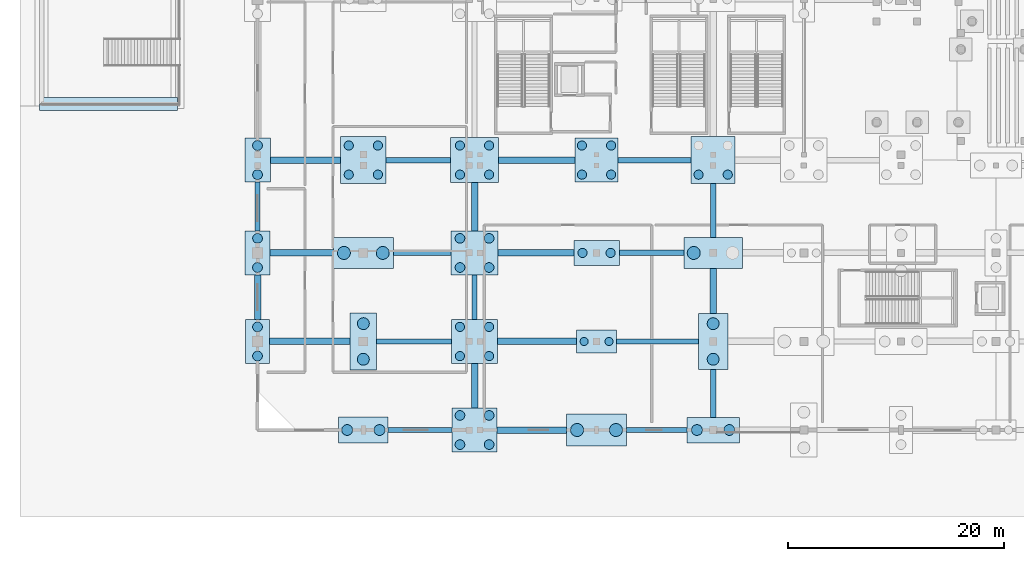
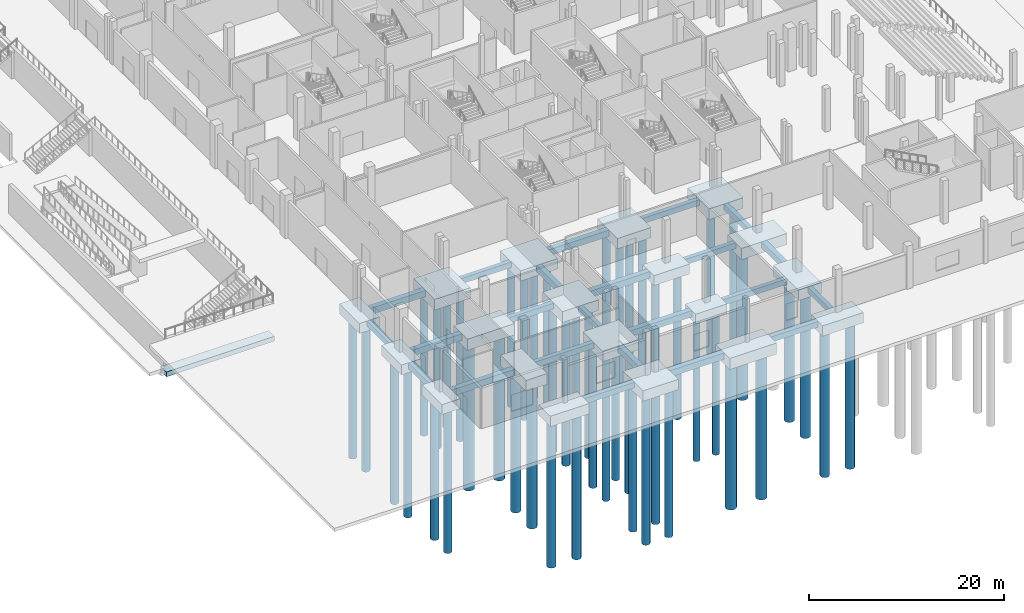
# One storey, part 1 of 89: 49 piles, 43 footings.
"""IFC4 building model written with IfcOpenShell, lengths in metres."""

from ifc_helpers import new_model, si_unit, direction, frame, origin, origin_2d, place, context, subcontext, project, spatial, rectangle, circle, extrude, material, material_profile, profile_set, type_object, element, save


model = new_model("IFC4")

# Units and contexts
model_context = context("Model", 3, precision=1e-05, world=origin(), true_north=direction((0.0, 1.0)))
body_context = subcontext(model_context, "Body", "Model", "MODEL_VIEW")
ifc_project = project(units=[si_unit("LENGTHUNIT", "METRE"), si_unit("AREAUNIT", "SQUARE_METRE"), si_unit("VOLUMEUNIT", "CUBIC_METRE"), si_unit("PLANEANGLEUNIT", "RADIAN"), si_unit("MASSUNIT", "GRAM", prefix="KILO")], contexts=[model_context])

# Site, building, storey
site_placement = place(None, origin())
site = spatial("IfcSite", under=ifc_project, at=site_placement, CompositionType="ELEMENT")
building_placement = place(site_placement, origin())
building = spatial("IfcBuilding", under=site, at=building_placement, Name="Koshinbarg Plaza Stadium", CompositionType="ELEMENT")
storey_placement = place(building_placement, origin())
storey = spatial("IfcBuildingStorey", under=building, at=storey_placement, Name="L00", CompositionType="ELEMENT", Elevation=0.0)

# Footings
ifc_material = material(Name="Concrete C35/45", Category="concrete")
ifc_material_profile_1 = material_profile(ifc_material, rectangle(XDim=0.5, YDim=0.699951171875, at=origin_2d()), Name="GB 500x700")
ifc_profile_set_1 = profile_set([ifc_material_profile_1], Name="Concrete C35/45")
footing_type_1 = type_object("IfcFootingType", Name="FT-GB-01", PredefinedType="FOOTING_BEAM", material=ifc_profile_set_1)
footing_1_placement = place(storey_placement, frame((16.10009765625, 0.0, -0.75), z_axis=(1.0, 0.0, 0.0), x_axis=(0.0, 1.0, 0.0)))
element("IfcFooting", 1, at=footing_1_placement, inside=storey, type_object=footing_type_1, Name="Ground footing beam GB-X-001", PredefinedType="FOOTING_BEAM", context=body_context, shape_type="SweptSolid", body=[
    extrude(rectangle(XDim=0.5, YDim=0.699951171875, at=origin_2d()), origin(), (0.0, 0.0, 1.0), 5.909912109375),
])
footing_2_placement = place(storey_placement, frame((38.179931640625, 0.0, -0.75), z_axis=(1.0, 0.0, 0.0), x_axis=(0.0, 1.0, 0.0)))
element("IfcFooting", 2, at=footing_2_placement, inside=storey, type_object=footing_type_1, Name="Ground footing beam GB-X-003", PredefinedType="FOOTING_BEAM", context=body_context, shape_type="SweptSolid", body=[
    extrude(rectangle(XDim=0.5, YDim=0.699951171875, at=origin_2d()), origin(), (0.0, 0.0, 1.0), 5.60009765625),
])
footing_3_placement = place(storey_placement, frame((15.0400390625, 8.199951171875, -0.75), z_axis=(1.0, 0.0, 0.0), x_axis=(0.0, 1.0, 0.0)))
element("IfcFooting", 3, at=footing_3_placement, inside=storey, type_object=footing_type_1, Name="Ground footing beam GB-X-017", PredefinedType="FOOTING_BEAM", context=body_context, shape_type="SweptSolid", body=[
    extrude(rectangle(XDim=0.5, YDim=0.699951171875, at=origin_2d()), origin(), (0.0, 0.0, 1.0), 6.929931640625),
])
footing_4_placement = place(storey_placement, frame((37.27001953125, 8.199951171875, -0.75), z_axis=(1.0, 0.0, 0.0), x_axis=(0.0, 1.0, 0.0)))
element("IfcFooting", 4, at=footing_4_placement, inside=storey, type_object=footing_type_1, Name="Ground footing beam GB-X-019", PredefinedType="FOOTING_BEAM", context=body_context, shape_type="SweptSolid", body=[
    extrude(rectangle(XDim=0.5, YDim=0.699951171875, at=origin_2d()), origin(), (0.0, 0.0, 1.0), 7.570068359375),
])
footing_5_placement = place(storey_placement, frame((16.580078125, 16.39990234375, -0.75), z_axis=(1.0, 0.0, 0.0), x_axis=(0.0, 1.0, 0.0)))
element("IfcFooting", 5, at=footing_5_placement, inside=storey, type_object=footing_type_1, Name="Ground footing beam GB-X-033", PredefinedType="FOOTING_BEAM", context=body_context, shape_type="SweptSolid", body=[
    extrude(rectangle(XDim=0.5, YDim=0.699951171875, at=origin_2d()), origin(), (0.0, 0.0, 1.0), 5.349853515625),
])
footing_6_placement = place(storey_placement, frame((37.510009765625, 16.39990234375, -0.75), z_axis=(1.0, 0.0, 0.0), x_axis=(0.0, 1.0, 0.0)))
element("IfcFooting", 6, at=footing_6_placement, inside=storey, type_object=footing_type_1, Name="Ground footing beam GB-X-035", PredefinedType="FOOTING_BEAM", context=body_context, shape_type="SweptSolid", body=[
    extrude(rectangle(XDim=0.5, YDim=0.699951171875, at=origin_2d()), origin(), (0.0, 0.0, 1.0), 5.989990234375),
])
footing_7_placement = place(storey_placement, frame((15.919921875, 25.0, -0.800048828125), z_axis=(1.0, 0.0, 0.0), x_axis=(0.0, 1.0, 0.0)))
element("IfcFooting", 7, at=footing_7_placement, inside=storey, type_object=footing_type_1, Name="Ground footing beam GB-X-049", PredefinedType="FOOTING_BEAM", context=body_context, shape_type="SweptSolid", body=[
    extrude(rectangle(XDim=0.5, YDim=0.699951171875, at=origin_2d()), origin(), (0.0, 0.0, 1.0), 5.969970703125),
])
footing_8_placement = place(storey_placement, frame((37.39990234375, 25.0, -0.800048828125), z_axis=(1.0, 0.0, 0.0), x_axis=(0.0, 1.0, 0.0)))
element("IfcFooting", 8, at=footing_8_placement, inside=storey, type_object=footing_type_1, Name="Ground footing beam GB-X-051", PredefinedType="FOOTING_BEAM", context=body_context, shape_type="SweptSolid", body=[
    extrude(rectangle(XDim=0.5, YDim=0.699951171875, at=origin_2d()), origin(), (0.0, 0.0, 1.0), 6.760009765625),
])
footing_9_placement = place(storey_placement, frame((4.0, 18.449951171875, -0.75), z_axis=(0.0, 1.0, 0.0), x_axis=(-1.0, 0.0, 0.0)))
element("IfcFooting", 9, at=footing_9_placement, inside=storey, type_object=footing_type_1, Name="Ground footing beam GB-Y-191", PredefinedType="FOOTING_BEAM", context=body_context, shape_type="SweptSolid", body=[
    extrude(rectangle(XDim=0.5, YDim=0.699951171875, at=origin_2d()), origin(), (0.0, 0.0, 1.0), 4.5),
])
footing_10_placement = place(storey_placement, frame((24.10009765625, 10.239990234375, -0.75), z_axis=(0.0, 1.0, 0.0), x_axis=(-1.0, 0.0, 0.0)))
element("IfcFooting", 10, at=footing_10_placement, inside=storey, type_object=footing_type_1, Name="Ground footing beam GB-Y-205", PredefinedType="FOOTING_BEAM", context=body_context, shape_type="SweptSolid", body=[
    extrude(rectangle(XDim=0.5, YDim=0.699951171875, at=origin_2d()), origin(), (0.0, 0.0, 1.0), 4.1201171875),
])
footing_11_placement = place(storey_placement, frame((46.199951171875, 1.179931640625, -0.75), z_axis=(0.0, 1.0, 0.0), x_axis=(-1.0, 0.0, 0.0)))
element("IfcFooting", 11, at=footing_11_placement, inside=storey, type_object=footing_type_1, Name="Ground footing beam GB-Y-219", PredefinedType="FOOTING_BEAM", context=body_context, shape_type="SweptSolid", body=[
    extrude(rectangle(XDim=0.5, YDim=0.699951171875, at=origin_2d()), origin(), (0.0, 0.0, 1.0), 4.440185546875),
])
footing_12_placement = place(storey_placement, frame((46.199951171875, 17.820068359375, -0.800048828125), z_axis=(0.0, 1.0, 0.0), x_axis=(-1.0, 0.0, 0.0)))
element("IfcFooting", 12, at=footing_12_placement, inside=storey, type_object=footing_type_1, Name="Ground footing beam GB-Y-221", PredefinedType="FOOTING_BEAM", context=body_context, shape_type="SweptSolid", body=[
    extrude(rectangle(XDim=0.5, YDim=0.699951171875, at=origin_2d()), origin(), (0.0, 0.0, 1.0), 5.010009765625),
])
ifc_material_profile_2 = material_profile(ifc_material, rectangle(XDim=0.60009765625, YDim=0.800048828125, at=origin_2d()), Name="GB 600x800")
ifc_profile_set_2 = profile_set([ifc_material_profile_2], Name="Concrete C35/45")
footing_type_2 = type_object("IfcFootingType", Name="FT-GB-02", PredefinedType="FOOTING_BEAM", material=ifc_profile_set_2)
footing_13_placement = place(storey_placement, frame((26.18994140625, 0.0, -0.800048828125), z_axis=(1.0, 0.0, 0.0), x_axis=(0.0, 1.0, 0.0)))
element("IfcFooting", 13, at=footing_13_placement, inside=storey, type_object=footing_type_2, Name="Ground footing beam GB-X-002", PredefinedType="FOOTING_BEAM", context=body_context, shape_type="SweptSolid", body=[
    extrude(rectangle(XDim=0.60009765625, YDim=0.800048828125, at=origin_2d()), origin(), (0.0, 0.0, 1.0), 6.43017578125),
])
footing_14_placement = place(storey_placement, frame((5.10009765625, 8.199951171875, -0.800048828125), z_axis=(1.0, 0.0, 0.0), x_axis=(0.0, 1.0, 0.0)))
element("IfcFooting", 14, at=footing_14_placement, inside=storey, type_object=footing_type_2, Name="Ground footing beam GB-X-016", PredefinedType="FOOTING_BEAM", context=body_context, shape_type="SweptSolid", body=[
    extrude(rectangle(XDim=0.60009765625, YDim=0.800048828125, at=origin_2d()), origin(), (0.0, 0.0, 1.0), 7.4599609375),
])
footing_15_placement = place(storey_placement, frame((26.22998046875, 8.199951171875, -0.800048828125), z_axis=(1.0, 0.0, 0.0), x_axis=(0.0, 1.0, 0.0)))
element("IfcFooting", 15, at=footing_15_placement, inside=storey, type_object=footing_type_2, Name="Ground footing beam GB-X-018", PredefinedType="FOOTING_BEAM", context=body_context, shape_type="SweptSolid", body=[
    extrude(rectangle(XDim=0.60009765625, YDim=0.800048828125, at=origin_2d()), origin(), (0.0, 0.0, 1.0), 7.300048828125),
])
footing_16_placement = place(storey_placement, frame((5.139892578125, 16.39990234375, -0.800048828125), z_axis=(1.0, 0.0, 0.0), x_axis=(0.0, 1.0, 0.0)))
element("IfcFooting", 16, at=footing_16_placement, inside=storey, type_object=footing_type_2, Name="Ground footing beam GB-X-032", PredefinedType="FOOTING_BEAM", context=body_context, shape_type="SweptSolid", body=[
    extrude(rectangle(XDim=0.60009765625, YDim=0.800048828125, at=origin_2d()), origin(), (0.0, 0.0, 1.0), 5.880126953125),
])
footing_17_placement = place(storey_placement, frame((26.27001953125, 16.39990234375, -0.800048828125), z_axis=(1.0, 0.0, 0.0), x_axis=(0.0, 1.0, 0.0)))
element("IfcFooting", 17, at=footing_17_placement, inside=storey, type_object=footing_type_2, Name="Ground footing beam GB-X-034", PredefinedType="FOOTING_BEAM", context=body_context, shape_type="SweptSolid", body=[
    extrude(rectangle(XDim=0.60009765625, YDim=0.800048828125, at=origin_2d()), origin(), (0.0, 0.0, 1.0), 7.02001953125),
])
footing_18_placement = place(storey_placement, frame((5.179931640625, 25.0, -0.800048828125), z_axis=(1.0, 0.0, 0.0), x_axis=(0.0, 1.0, 0.0)))
element("IfcFooting", 18, at=footing_18_placement, inside=storey, type_object=footing_type_2, Name="Ground footing beam GB-X-048", PredefinedType="FOOTING_BEAM", context=body_context, shape_type="SweptSolid", body=[
    extrude(rectangle(XDim=0.60009765625, YDim=0.800048828125, at=origin_2d()), origin(), (0.0, 0.0, 1.0), 6.5),
])
footing_19_placement = place(storey_placement, frame((26.31005859375, 25.0, -0.85009765625), z_axis=(1.0, 0.0, 0.0), x_axis=(0.0, 1.0, 0.0)))
element("IfcFooting", 19, at=footing_19_placement, inside=storey, type_object=footing_type_2, Name="Ground footing beam GB-X-050", PredefinedType="FOOTING_BEAM", context=body_context, shape_type="SweptSolid", body=[
    extrude(rectangle(XDim=0.60009765625, YDim=0.800048828125, at=origin_2d()), origin(), (0.0, 0.0, 1.0), 7.08984375),
])
footing_20_placement = place(storey_placement, frame((4.0, 10.25, -0.800048828125), z_axis=(0.0, 1.0, 0.0), x_axis=(-1.0, 0.0, 0.0)))
element("IfcFooting", 20, at=footing_20_placement, inside=storey, type_object=footing_type_2, Name="Ground footing beam GB-Y-190", PredefinedType="FOOTING_BEAM", context=body_context, shape_type="SweptSolid", body=[
    extrude(rectangle(XDim=0.60009765625, YDim=0.800048828125, at=origin_2d()), origin(), (0.0, 0.0, 1.0), 4.10009765625),
])
footing_21_placement = place(storey_placement, frame((24.10009765625, 2.0400390625, -0.800048828125), z_axis=(0.0, 1.0, 0.0), x_axis=(-1.0, 0.0, 0.0)))
element("IfcFooting", 21, at=footing_21_placement, inside=storey, type_object=footing_type_2, Name="Ground footing beam GB-Y-204", PredefinedType="FOOTING_BEAM", context=body_context, shape_type="SweptSolid", body=[
    extrude(rectangle(XDim=0.60009765625, YDim=0.800048828125, at=origin_2d()), origin(), (0.0, 0.0, 1.0), 4.119873046875),
])
footing_22_placement = place(storey_placement, frame((24.10009765625, 18.43994140625, -0.85009765625), z_axis=(0.0, 1.0, 0.0), x_axis=(-1.0, 0.0, 0.0)))
element("IfcFooting", 22, at=footing_22_placement, inside=storey, type_object=footing_type_2, Name="Ground footing beam GB-Y-206", PredefinedType="FOOTING_BEAM", context=body_context, shape_type="SweptSolid", body=[
    extrude(rectangle(XDim=0.60009765625, YDim=0.800048828125, at=origin_2d()), origin(), (0.0, 0.0, 1.0), 4.469970703125),
])
footing_23_placement = place(storey_placement, frame((46.199951171875, 10.780029296875, -0.800048828125), z_axis=(0.0, 1.0, 0.0), x_axis=(-1.0, 0.0, 0.0)))
element("IfcFooting", 23, at=footing_23_placement, inside=storey, type_object=footing_type_2, Name="Ground footing beam GB-Y-220", PredefinedType="FOOTING_BEAM", context=body_context, shape_type="SweptSolid", body=[
    extrude(rectangle(XDim=0.60009765625, YDim=0.800048828125, at=origin_2d()), origin(), (0.0, 0.0, 1.0), 4.199951171875),
])
footing_type_3 = type_object("IfcFootingType", Name="FT-PC-220x410x125", PredefinedType="PILE_CAP", material=ifc_material)
footing_24_placement = place(storey_placement, frame((4.0, 8.199951171875, -1.64990234375), z_axis=(0.0, 0.0, 1.0), x_axis=(1.0, 0.0, 0.0)))
element("IfcFooting", 24, at=footing_24_placement, inside=storey, type_object=footing_type_3, Name="Bored pile cap CAP-001", PredefinedType="PILE_CAP", context=body_context, shape_type="SweptSolid", body=[
    extrude(rectangle(XDim=2.199951171875, YDim=4.10009765625, at=origin_2d()), origin(), (0.0, 0.0, 1.0), 1.25),
])
footing_type_4 = type_object("IfcFootingType", Name="FT-PC-228x410x125", PredefinedType="PILE_CAP", material=ifc_material)
footing_25_placement = place(storey_placement, frame((4.0, 16.39990234375, -1.64990234375), z_axis=(0.0, 0.0, 1.0), x_axis=(1.0, 0.0, 0.0)))
element("IfcFooting", 25, at=footing_25_placement, inside=storey, type_object=footing_type_4, Name="Bored pile cap CAP-002", PredefinedType="PILE_CAP", context=body_context, shape_type="SweptSolid", body=[
    extrude(rectangle(XDim=2.280029296875, YDim=4.10009765625, at=origin_2d()), origin(), (0.0, 0.0, 1.0), 1.25),
])
footing_type_5 = type_object("IfcFootingType", Name="FT-PC-236x410x125", PredefinedType="PILE_CAP", material=ifc_material)
footing_26_placement = place(storey_placement, frame((4.0, 25.0, -1.64990234375), z_axis=(0.0, 0.0, 1.0), x_axis=(1.0, 0.0, 0.0)))
element("IfcFooting", 26, at=footing_26_placement, inside=storey, type_object=footing_type_5, Name="Bored pile cap CAP-003", PredefinedType="PILE_CAP", context=body_context, shape_type="SweptSolid", body=[
    extrude(rectangle(XDim=2.360107421875, YDim=4.10009765625, at=origin_2d()), origin(), (0.0, 0.0, 1.0), 1.25),
])
footing_type_6 = type_object("IfcFootingType", Name="FT-PC-248x524x135", PredefinedType="PILE_CAP", material=ifc_material)
footing_27_placement = place(storey_placement, frame((13.800048828125, 8.199951171875, -1.75), z_axis=(0.0, 0.0, 1.0), x_axis=(1.0, 0.0, 0.0)))
element("IfcFooting", 27, at=footing_27_placement, inside=storey, type_object=footing_type_6, Name="Bored pile cap CAP-017", PredefinedType="PILE_CAP", context=body_context, shape_type="SweptSolid", body=[
    extrude(rectangle(XDim=2.47998046875, YDim=5.239990234375, at=origin_2d()), origin(), (0.0, 0.0, 1.0), 1.35009765625),
])
footing_type_7 = type_object("IfcFootingType", Name="FT-PC-272x516x135", PredefinedType="PILE_CAP", material=ifc_material)
footing_28_placement = place(storey_placement, frame((46.199951171875, 8.199951171875, -1.75), z_axis=(0.0, 0.0, 1.0), x_axis=(1.0, 0.0, 0.0)))
element("IfcFooting", 28, at=footing_28_placement, inside=storey, type_object=footing_type_7, Name="Bored pile cap CAP-065", PredefinedType="PILE_CAP", context=body_context, shape_type="SweptSolid", body=[
    extrude(rectangle(XDim=2.719970703125, YDim=5.159912109375, at=origin_2d()), origin(), (0.0, 0.0, 1.0), 1.35009765625),
])
footing_type_8 = type_object("IfcFootingType", Name="FT-PC-374x212x120", PredefinedType="PILE_CAP", material=ifc_material)
footing_29_placement = place(storey_placement, frame((35.39990234375, 8.199951171875, -1.60009765625), z_axis=(0.0, 0.0, 1.0), x_axis=(1.0, 0.0, 0.0)))
element("IfcFooting", 29, at=footing_29_placement, inside=storey, type_object=footing_type_8, Name="Bored pile cap CAP-049", PredefinedType="PILE_CAP", context=body_context, shape_type="SweptSolid", body=[
    extrude(rectangle(XDim=3.739990234375, YDim=2.1201171875, at=origin_2d()), origin(), (0.0, 0.0, 1.0), 1.199951171875),
])
footing_type_9 = type_object("IfcFootingType", Name="FT-PC-400x410x130", PredefinedType="PILE_CAP", material=ifc_material)
footing_30_placement = place(storey_placement, frame((35.39990234375, 25.0, -1.75), z_axis=(0.0, 0.0, 1.0), x_axis=(1.0, 0.0, 0.0)))
element("IfcFooting", 30, at=footing_30_placement, inside=storey, type_object=footing_type_9, Name="Bored pile cap CAP-051", PredefinedType="PILE_CAP", context=body_context, shape_type="SweptSolid", body=[
    extrude(rectangle(XDim=4.0, YDim=4.10009765625, at=origin_2d()), origin(), (0.0, 0.0, 1.0), 1.300048828125),
])
footing_type_10 = type_object("IfcFootingType", Name="FT-PC-408x434x135", PredefinedType="PILE_CAP", material=ifc_material)
footing_31_placement = place(storey_placement, frame((46.199951171875, 25.0, -1.800048828125), z_axis=(0.0, 0.0, 1.0), x_axis=(1.0, 0.0, 0.0)))
element("IfcFooting", 31, at=footing_31_placement, inside=storey, type_object=footing_type_10, Name="Bored pile cap CAP-067", PredefinedType="PILE_CAP", context=body_context, shape_type="SweptSolid", body=[
    extrude(rectangle(XDim=4.080078125, YDim=4.340087890625, at=origin_2d()), origin(), (0.0, 0.0, 1.0), 1.35009765625),
])
footing_type_11 = type_object("IfcFootingType", Name="FT-PC-418x408x130", PredefinedType="PILE_CAP", material=ifc_material)
footing_32_placement = place(storey_placement, frame((24.10009765625, 0.0, -1.7001953125), z_axis=(0.0, 0.0, 1.0), x_axis=(1.0, 0.0, 0.0)))
element("IfcFooting", 32, at=footing_32_placement, inside=storey, type_object=footing_type_11, Name="Bored pile cap CAP-032", PredefinedType="PILE_CAP", context=body_context, shape_type="SweptSolid", body=[
    extrude(rectangle(XDim=4.179931640625, YDim=4.080078125, at=origin_2d()), origin(), (0.0, 0.0, 1.0), 1.300048828125),
])
footing_type_12 = type_object("IfcFootingType", Name="FT-PC-422x232x125", PredefinedType="PILE_CAP", material=ifc_material)
footing_33_placement = place(storey_placement, frame((35.39990234375, 16.39990234375, -1.64990234375), z_axis=(0.0, 0.0, 1.0), x_axis=(1.0, 0.0, 0.0)))
element("IfcFooting", 33, at=footing_33_placement, inside=storey, type_object=footing_type_12, Name="Bored pile cap CAP-050", PredefinedType="PILE_CAP", context=body_context, shape_type="SweptSolid", body=[
    extrude(rectangle(XDim=4.219970703125, YDim=2.320068359375, at=origin_2d()), origin(), (0.0, 0.0, 1.0), 1.25),
])
footing_type_13 = type_object("IfcFootingType", Name="FT-PC-424x434x135", PredefinedType="PILE_CAP", material=ifc_material)
footing_34_placement = place(storey_placement, frame((13.800048828125, 25.0, -1.75), z_axis=(0.0, 0.0, 1.0), x_axis=(1.0, 0.0, 0.0)))
element("IfcFooting", 34, at=footing_34_placement, inside=storey, type_object=footing_type_13, Name="Bored pile cap CAP-019", PredefinedType="PILE_CAP", context=body_context, shape_type="SweptSolid", body=[
    extrude(rectangle(XDim=4.239990234375, YDim=4.340087890625, at=origin_2d()), origin(), (0.0, 0.0, 1.0), 1.35009765625),
])
footing_type_14 = type_object("IfcFootingType", Name="FT-PC-426x408x130", PredefinedType="PILE_CAP", material=ifc_material)
footing_35_placement = place(storey_placement, frame((24.10009765625, 8.199951171875, -1.7001953125), z_axis=(0.0, 0.0, 1.0), x_axis=(1.0, 0.0, 0.0)))
element("IfcFooting", 35, at=footing_35_placement, inside=storey, type_object=footing_type_14, Name="Bored pile cap CAP-033", PredefinedType="PILE_CAP", context=body_context, shape_type="SweptSolid", body=[
    extrude(rectangle(XDim=4.260009765625, YDim=4.080078125, at=origin_2d()), origin(), (0.0, 0.0, 1.0), 1.300048828125),
])
footing_type_15 = type_object("IfcFootingType", Name="FT-PC-434x408x135", PredefinedType="PILE_CAP", material=ifc_material)
footing_36_placement = place(storey_placement, frame((24.10009765625, 16.39990234375, -1.75), z_axis=(0.0, 0.0, 1.0), x_axis=(1.0, 0.0, 0.0)))
element("IfcFooting", 36, at=footing_36_placement, inside=storey, type_object=footing_type_15, Name="Bored pile cap CAP-034", PredefinedType="PILE_CAP", context=body_context, shape_type="SweptSolid", body=[
    extrude(rectangle(XDim=4.340087890625, YDim=4.080078125, at=origin_2d()), origin(), (0.0, 0.0, 1.0), 1.35009765625),
])
footing_type_16 = type_object("IfcFootingType", Name="FT-PC-442x418x130", PredefinedType="PILE_CAP", material=ifc_material)
footing_37_placement = place(storey_placement, frame((24.10009765625, 25.0, -1.75), z_axis=(0.0, 0.0, 1.0), x_axis=(1.0, 0.0, 0.0)))
element("IfcFooting", 37, at=footing_37_placement, inside=storey, type_object=footing_type_16, Name="Bored pile cap CAP-035", PredefinedType="PILE_CAP", context=body_context, shape_type="SweptSolid", body=[
    extrude(rectangle(XDim=4.419921875, YDim=4.179931640625, at=origin_2d()), origin(), (0.0, 0.0, 1.0), 1.300048828125),
])
footing_type_17 = type_object("IfcFootingType", Name="FT-PC-460x244x130", PredefinedType="PILE_CAP", material=ifc_material)
footing_38_placement = place(storey_placement, frame((13.800048828125, 0.0, -1.7001953125), z_axis=(0.0, 0.0, 1.0), x_axis=(1.0, 0.0, 0.0)))
element("IfcFooting", 38, at=footing_38_placement, inside=storey, type_object=footing_type_17, Name="Bored pile cap CAP-016", PredefinedType="PILE_CAP", context=body_context, shape_type="SweptSolid", body=[
    extrude(rectangle(XDim=4.60009765625, YDim=2.43994140625, at=origin_2d()), origin(), (0.0, 0.0, 1.0), 1.300048828125),
])
footing_type_18 = type_object("IfcFootingType", Name="FT-PC-484x236x130", PredefinedType="PILE_CAP", material=ifc_material)
footing_39_placement = place(storey_placement, frame((46.199951171875, 0.0, -1.7001953125), z_axis=(0.0, 0.0, 1.0), x_axis=(1.0, 0.0, 0.0)))
element("IfcFooting", 39, at=footing_39_placement, inside=storey, type_object=footing_type_18, Name="Bored pile cap CAP-064", PredefinedType="PILE_CAP", context=body_context, shape_type="SweptSolid", body=[
    extrude(rectangle(XDim=4.840087890625, YDim=2.360107421875, at=origin_2d()), origin(), (0.0, 0.0, 1.0), 1.300048828125),
])
footing_type_19 = type_object("IfcFootingType", Name="FT-PC-540x284x140", PredefinedType="PILE_CAP", material=ifc_material)
footing_40_placement = place(storey_placement, frame((46.199951171875, 16.39990234375, -1.800048828125), z_axis=(0.0, 0.0, 1.0), x_axis=(1.0, 0.0, 0.0)))
element("IfcFooting", 40, at=footing_40_placement, inside=storey, type_object=footing_type_19, Name="Bored pile cap CAP-066", PredefinedType="PILE_CAP", context=body_context, shape_type="SweptSolid", body=[
    extrude(rectangle(XDim=5.39990234375, YDim=2.840087890625, at=origin_2d()), origin(), (0.0, 0.0, 1.0), 1.39990234375),
])
footing_type_20 = type_object("IfcFootingType", Name="FT-PC-556x284x140", PredefinedType="PILE_CAP", material=ifc_material)
footing_41_placement = place(storey_placement, frame((13.800048828125, 16.39990234375, -1.800048828125), z_axis=(0.0, 0.0, 1.0), x_axis=(1.0, 0.0, 0.0)))
element("IfcFooting", 41, at=footing_41_placement, inside=storey, type_object=footing_type_20, Name="Bored pile cap CAP-018", PredefinedType="PILE_CAP", context=body_context, shape_type="SweptSolid", body=[
    extrude(rectangle(XDim=5.56005859375, YDim=2.840087890625, at=origin_2d()), origin(), (0.0, 0.0, 1.0), 1.39990234375),
])
footing_type_21 = type_object("IfcFootingType", Name="FT-PC-556x292x140", PredefinedType="PILE_CAP", material=ifc_material)
footing_42_placement = place(storey_placement, frame((35.39990234375, 0.0, -1.800048828125), z_axis=(0.0, 0.0, 1.0), x_axis=(1.0, 0.0, 0.0)))
element("IfcFooting", 42, at=footing_42_placement, inside=storey, type_object=footing_type_21, Name="Bored pile cap CAP-048", PredefinedType="PILE_CAP", context=body_context, shape_type="SweptSolid", body=[
    extrude(rectangle(XDim=5.56005859375, YDim=2.919921875, at=origin_2d()), origin(), (0.0, 0.0, 1.0), 1.39990234375),
])
ifc_material_profile_3 = material_profile(ifc_material, rectangle(XDim=1.199951171875, YDim=0.60009765625, at=origin_2d()), Name="SF 1200x600")
ifc_profile_set_3 = profile_set([ifc_material_profile_3], Name="Concrete C35/45")
footing_type_22 = type_object("IfcFootingType", Name="FT-SF-1200x600", PredefinedType="STRIP_FOOTING", material=ifc_profile_set_3)
footing_43_placement = place(storey_placement, frame((-16.199951171875, 30.199951171875, -4.14990234375), z_axis=(1.0, 0.0, 0.0), x_axis=(0.0, 1.0, 0.0)))
element("IfcFooting", 43, at=footing_43_placement, inside=storey, type_object=footing_type_22, Name="Forecourt strip footing 02", PredefinedType="STRIP_FOOTING", context=body_context, shape_type="SweptSolid", body=[
    extrude(rectangle(XDim=1.199951171875, YDim=0.60009765625, at=origin_2d()), origin(), (0.0, 0.0, 1.0), 12.800048828125),
])

# Piles
ifc_material_profile_4 = material_profile(ifc_material, circle(Radius=0.5, at=origin_2d()), Name="PILE D1000")
ifc_profile_set_4 = profile_set([ifc_material_profile_4], Name="Concrete C35/45")
pile_type_1 = type_object("IfcPileType", Name="PL-D1000", PredefinedType="BORED", material=ifc_profile_set_4)
for number, where, z_axis, x_axis, name in (
    (44, (12.300048828125, 0.0, -1.60009765625), (0.0, 0.0, -1.0), (1.0, 0.0, 0.0), "Bored pile CAP-016-1"),
    (45, (15.300048828125, 0.0, -1.60009765625), (0.0, 0.0, -1.0), (1.0, 0.0, 0.0), "Bored pile CAP-016-2"),
    (46, (44.699951171875, 0.0, -1.60009765625), (0.0, 0.0, -1.0), (1.0, 0.0, 0.0), "Bored pile CAP-064-1"),
    (47, (47.699951171875, 0.0, -1.60009765625), (0.0, 0.0, -1.0), (1.0, 0.0, 0.0), "Bored pile CAP-064-2"),
):
    element("IfcPile", number, at=place(storey_placement, frame(where, z_axis=z_axis, x_axis=x_axis)), inside=storey, type_object=pile_type_1, Name=name, PredefinedType="BORED", context=body_context, shape_type="SweptSolid", body=[
        extrude(circle(Radius=0.5, at=origin_2d()), origin(), (0.0, 0.0, 1.0), 18.5),
    ])
ifc_material_profile_5 = material_profile(ifc_material, circle(Radius=0.550048828125, at=origin_2d()), Name="PILE D1100")
ifc_profile_set_5 = profile_set([ifc_material_profile_5], Name="Concrete C35/45")
pile_type_2 = type_object("IfcPileType", Name="PL-D1100", PredefinedType="BORED", material=ifc_profile_set_5)
for number, where, z_axis, x_axis, name in (
    (48, (13.800048828125, 6.550048828125, -1.64990234375), (0.0, 0.0, -1.0), (1.0, 0.0, 0.0), "Bored pile CAP-017-1"),
    (49, (13.800048828125, 9.85009765625, -1.64990234375), (0.0, 0.0, -1.0), (1.0, 0.0, 0.0), "Bored pile CAP-017-2"),
    (50, (46.199951171875, 6.550048828125, -1.64990234375), (0.0, 0.0, -1.0), (1.0, 0.0, 0.0), "Bored pile CAP-065-1"),
    (51, (46.199951171875, 9.85009765625, -1.64990234375), (0.0, 0.0, -1.0), (1.0, 0.0, 0.0), "Bored pile CAP-065-2"),
):
    element("IfcPile", number, at=place(storey_placement, frame(where, z_axis=z_axis, x_axis=x_axis)), inside=storey, type_object=pile_type_2, Name=name, PredefinedType="BORED", context=body_context, shape_type="SweptSolid", body=[
        extrude(circle(Radius=0.550048828125, at=origin_2d()), origin(), (0.0, 0.0, 1.0), 18.0),
    ])
ifc_material_profile_6 = material_profile(ifc_material, circle(Radius=0.60009765625, at=origin_2d()), Name="PILE D1200")
ifc_profile_set_6 = profile_set([ifc_material_profile_6], Name="Concrete C35/45")
pile_type_3 = type_object("IfcPileType", Name="PL-D1200", PredefinedType="BORED", material=ifc_profile_set_6)
for number, where, z_axis, x_axis, name in (
    (52, (12.0, 16.39990234375, -1.699951171875), (0.0, 0.0, -1.0), (1.0, 0.0, 0.0), "Bored pile CAP-018-1"),
    (53, (15.60009765625, 16.39990234375, -1.699951171875), (0.0, 0.0, -1.0), (1.0, 0.0, 0.0), "Bored pile CAP-018-2"),
    (54, (33.60009765625, 0.0, -1.699951171875), (0.0, 0.0, -1.0), (1.0, 0.0, 0.0), "Bored pile CAP-048-1"),
    (55, (37.199951171875, 0.0, -1.699951171875), (0.0, 0.0, -1.0), (1.0, 0.0, 0.0), "Bored pile CAP-048-2"),
    (56, (44.39990234375, 16.39990234375, -1.699951171875), (0.0, 0.0, -1.0), (1.0, 0.0, 0.0), "Bored pile CAP-066-1"),
):
    element("IfcPile", number, at=place(storey_placement, frame(where, z_axis=z_axis, x_axis=x_axis)), inside=storey, type_object=pile_type_3, Name=name, PredefinedType="BORED", context=body_context, shape_type="SweptSolid", body=[
        extrude(circle(Radius=0.60009765625, at=origin_2d()), origin(), (0.0, 0.0, 1.0), 18.5),
    ])
ifc_material_profile_7 = material_profile(ifc_material, circle(Radius=0.375, at=origin_2d()), Name="PILE D750")
ifc_profile_set_7 = profile_set([ifc_material_profile_7], Name="Concrete C35/45")
pile_type_4 = type_object("IfcPileType", Name="PL-D750", PredefinedType="BORED", material=ifc_profile_set_7)
for number, where, z_axis, x_axis, name in (
    (57, (34.25, 8.199951171875, -1.5), (0.0, 0.0, -1.0), (1.0, 0.0, 0.0), "Bored pile CAP-049-1"),
    (58, (36.550048828125, 8.199951171875, -1.5), (0.0, 0.0, -1.0), (1.0, 0.0, 0.0), "Bored pile CAP-049-2"),
):
    element("IfcPile", number, at=place(storey_placement, frame(where, z_axis=z_axis, x_axis=x_axis)), inside=storey, type_object=pile_type_4, Name=name, PredefinedType="BORED", context=body_context, shape_type="SweptSolid", body=[
        extrude(circle(Radius=0.375, at=origin_2d()), origin(), (0.0, 0.0, 1.0), 18.0),
    ])
ifc_material_profile_8 = material_profile(ifc_material, circle(Radius=0.425048828125, at=origin_2d()), Name="PILE D850")
ifc_profile_set_8 = profile_set([ifc_material_profile_8], Name="Concrete C35/45")
pile_type_5 = type_object("IfcPileType", Name="PL-D850", PredefinedType="BORED", material=ifc_profile_set_8)
for number, where, z_axis, x_axis, name in (
    (59, (12.449951171875, 23.64990234375, -1.64990234375), (0.0, 0.0, -1.0), (1.0, 0.0, 0.0), "Bored pile CAP-019-1"),
    (60, (15.14990234375, 23.64990234375, -1.64990234375), (0.0, 0.0, -1.0), (1.0, 0.0, 0.0), "Bored pile CAP-019-2"),
    (61, (12.449951171875, 26.35009765625, -1.64990234375), (0.0, 0.0, -1.0), (1.0, 0.0, 0.0), "Bored pile CAP-019-3"),
    (62, (15.14990234375, 26.35009765625, -1.64990234375), (0.0, 0.0, -1.0), (1.0, 0.0, 0.0), "Bored pile CAP-019-4"),
    (63, (22.75, 6.85009765625, -1.60009765625), (0.0, 0.0, -1.0), (1.0, 0.0, 0.0), "Bored pile CAP-033-1"),
    (64, (25.449951171875, 6.85009765625, -1.60009765625), (0.0, 0.0, -1.0), (1.0, 0.0, 0.0), "Bored pile CAP-033-2"),
    (65, (22.75, 9.550048828125, -1.60009765625), (0.0, 0.0, -1.0), (1.0, 0.0, 0.0), "Bored pile CAP-033-3"),
    (66, (25.449951171875, 9.550048828125, -1.60009765625), (0.0, 0.0, -1.0), (1.0, 0.0, 0.0), "Bored pile CAP-033-4"),
    (67, (22.75, 23.64990234375, -1.64990234375), (0.0, 0.0, -1.0), (1.0, 0.0, 0.0), "Bored pile CAP-035-1"),
    (68, (25.449951171875, 23.64990234375, -1.64990234375), (0.0, 0.0, -1.0), (1.0, 0.0, 0.0), "Bored pile CAP-035-2"),
    (69, (22.75, 26.35009765625, -1.64990234375), (0.0, 0.0, -1.0), (1.0, 0.0, 0.0), "Bored pile CAP-035-3"),
    (70, (25.449951171875, 26.35009765625, -1.64990234375), (0.0, 0.0, -1.0), (1.0, 0.0, 0.0), "Bored pile CAP-035-4"),
):
    element("IfcPile", number, at=place(storey_placement, frame(where, z_axis=z_axis, x_axis=x_axis)), inside=storey, type_object=pile_type_5, Name=name, PredefinedType="BORED", context=body_context, shape_type="SweptSolid", body=[
        extrude(circle(Radius=0.425048828125, at=origin_2d()), origin(), (0.0, 0.0, 1.0), 18.0),
    ])
for number, where, z_axis, x_axis, name in (
    (71, (34.10009765625, 16.39990234375, -1.550048828125), (0.0, 0.0, -1.0), (1.0, 0.0, 0.0), "Bored pile CAP-050-1"),
    (72, (36.699951171875, 16.39990234375, -1.550048828125), (0.0, 0.0, -1.0), (1.0, 0.0, 0.0), "Bored pile CAP-050-2"),
):
    element("IfcPile", number, at=place(storey_placement, frame(where, z_axis=z_axis, x_axis=x_axis)), inside=storey, type_object=pile_type_5, Name=name, PredefinedType="BORED", context=body_context, shape_type="SweptSolid", body=[
        extrude(circle(Radius=0.425048828125, at=origin_2d()), origin(), (0.0, 0.0, 1.0), 18.5),
    ])
for number, where, z_axis, x_axis, name in (
    (73, (34.050048828125, 23.64990234375, -1.64990234375), (0.0, 0.0, -1.0), (1.0, 0.0, 0.0), "Bored pile CAP-051-1"),
    (74, (36.75, 23.64990234375, -1.64990234375), (0.0, 0.0, -1.0), (1.0, 0.0, 0.0), "Bored pile CAP-051-2"),
    (75, (34.050048828125, 26.35009765625, -1.64990234375), (0.0, 0.0, -1.0), (1.0, 0.0, 0.0), "Bored pile CAP-051-3"),
    (76, (36.75, 26.35009765625, -1.64990234375), (0.0, 0.0, -1.0), (1.0, 0.0, 0.0), "Bored pile CAP-051-4"),
    (77, (44.85009765625, 23.64990234375, -1.699951171875), (0.0, 0.0, -1.0), (1.0, 0.0, 0.0), "Bored pile CAP-067-1"),
    (78, (47.550048828125, 23.64990234375, -1.699951171875), (0.0, 0.0, -1.0), (1.0, 0.0, 0.0), "Bored pile CAP-067-2"),
):
    element("IfcPile", number, at=place(storey_placement, frame(where, z_axis=z_axis, x_axis=x_axis)), inside=storey, type_object=pile_type_5, Name=name, PredefinedType="BORED", context=body_context, shape_type="SweptSolid", body=[
        extrude(circle(Radius=0.425048828125, at=origin_2d()), origin(), (0.0, 0.0, 1.0), 18.0),
    ])
ifc_material_profile_9 = material_profile(ifc_material, circle(Radius=0.449951171875, at=origin_2d()), Name="PILE D900")
ifc_profile_set_9 = profile_set([ifc_material_profile_9], Name="Concrete C35/45")
pile_type_6 = type_object("IfcPileType", Name="PL-D900", PredefinedType="BORED", material=ifc_profile_set_9)
for number, where, z_axis, x_axis, name in (
    (79, (4.0, 6.85009765625, -1.550048828125), (0.0, 0.0, -1.0), (1.0, 0.0, 0.0), "Bored pile CAP-001-1"),
    (80, (4.0, 9.550048828125, -1.550048828125), (0.0, 0.0, -1.0), (1.0, 0.0, 0.0), "Bored pile CAP-001-2"),
):
    element("IfcPile", number, at=place(storey_placement, frame(where, z_axis=z_axis, x_axis=x_axis)), inside=storey, type_object=pile_type_6, Name=name, PredefinedType="BORED", context=body_context, shape_type="SweptSolid", body=[
        extrude(circle(Radius=0.449951171875, at=origin_2d()), origin(), (0.0, 0.0, 1.0), 18.0),
    ])
for number, where, z_axis, x_axis, name in (
    (81, (4.0, 15.050048828125, -1.550048828125), (0.0, 0.0, -1.0), (1.0, 0.0, 0.0), "Bored pile CAP-002-1"),
    (82, (4.0, 17.75, -1.550048828125), (0.0, 0.0, -1.0), (1.0, 0.0, 0.0), "Bored pile CAP-002-2"),
):
    element("IfcPile", number, at=place(storey_placement, frame(where, z_axis=z_axis, x_axis=x_axis)), inside=storey, type_object=pile_type_6, Name=name, PredefinedType="BORED", context=body_context, shape_type="SweptSolid", body=[
        extrude(circle(Radius=0.449951171875, at=origin_2d()), origin(), (0.0, 0.0, 1.0), 18.5),
    ])
for number, where, z_axis, x_axis, name in (
    (83, (4.0, 23.64990234375, -1.550048828125), (0.0, 0.0, -1.0), (1.0, 0.0, 0.0), "Bored pile CAP-003-1"),
    (84, (4.0, 26.35009765625, -1.550048828125), (0.0, 0.0, -1.0), (1.0, 0.0, 0.0), "Bored pile CAP-003-2"),
):
    element("IfcPile", number, at=place(storey_placement, frame(where, z_axis=z_axis, x_axis=x_axis)), inside=storey, type_object=pile_type_6, Name=name, PredefinedType="BORED", context=body_context, shape_type="SweptSolid", body=[
        extrude(circle(Radius=0.449951171875, at=origin_2d()), origin(), (0.0, 0.0, 1.0), 18.0),
    ])
for number, where, z_axis, x_axis, name in (
    (85, (22.75, -1.35009765625, -1.60009765625), (0.0, 0.0, -1.0), (1.0, 0.0, 0.0), "Bored pile CAP-032-1"),
    (86, (25.449951171875, -1.35009765625, -1.60009765625), (0.0, 0.0, -1.0), (1.0, 0.0, 0.0), "Bored pile CAP-032-2"),
    (87, (22.75, 1.35009765625, -1.60009765625), (0.0, 0.0, -1.0), (1.0, 0.0, 0.0), "Bored pile CAP-032-3"),
    (88, (25.449951171875, 1.35009765625, -1.60009765625), (0.0, 0.0, -1.0), (1.0, 0.0, 0.0), "Bored pile CAP-032-4"),
    (89, (22.75, 15.050048828125, -1.64990234375), (0.0, 0.0, -1.0), (1.0, 0.0, 0.0), "Bored pile CAP-034-1"),
    (90, (25.449951171875, 15.050048828125, -1.64990234375), (0.0, 0.0, -1.0), (1.0, 0.0, 0.0), "Bored pile CAP-034-2"),
    (91, (22.75, 17.75, -1.64990234375), (0.0, 0.0, -1.0), (1.0, 0.0, 0.0), "Bored pile CAP-034-3"),
    (92, (25.449951171875, 17.75, -1.64990234375), (0.0, 0.0, -1.0), (1.0, 0.0, 0.0), "Bored pile CAP-034-4"),
):
    element("IfcPile", number, at=place(storey_placement, frame(where, z_axis=z_axis, x_axis=x_axis)), inside=storey, type_object=pile_type_6, Name=name, PredefinedType="BORED", context=body_context, shape_type="SweptSolid", body=[
        extrude(circle(Radius=0.449951171875, at=origin_2d()), origin(), (0.0, 0.0, 1.0), 18.5),
    ])

save(model, "model.ifc")
